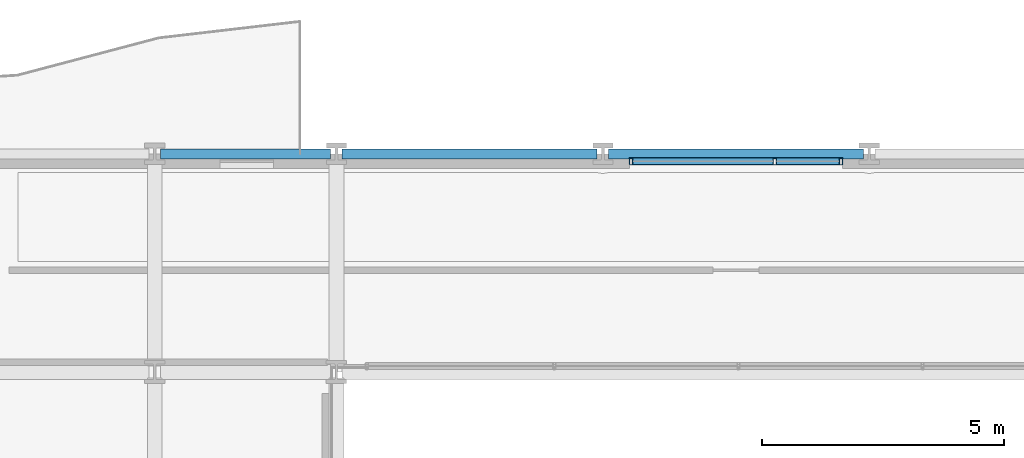
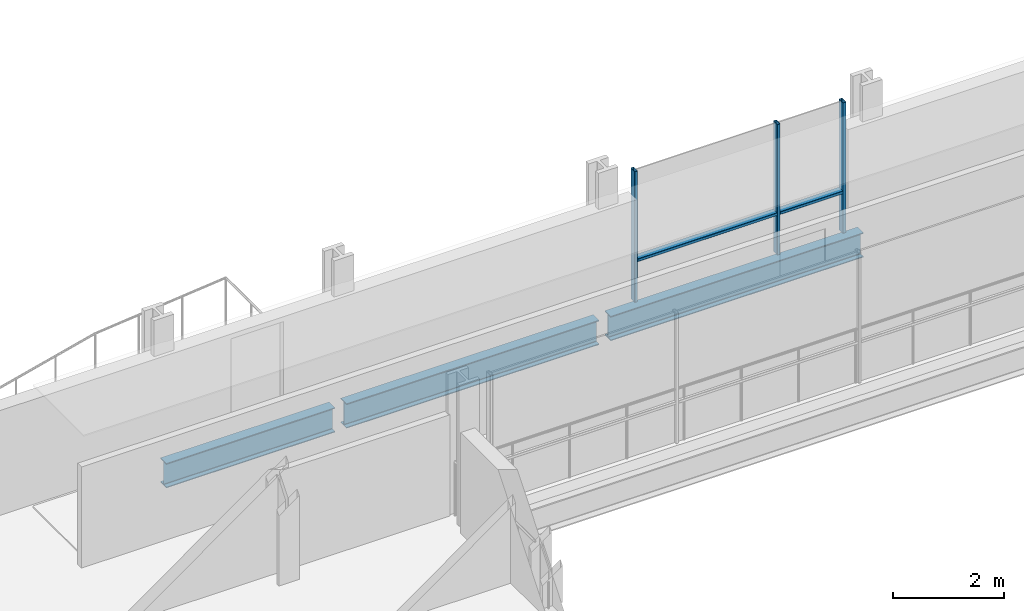
# One storey, part 22 of 41: 5 members, 3 beams, 1 element without a shape of its own.
"""IFC4 building model written with IfcOpenShell, lengths in metres."""

from ifc_helpers import new_model, si_unit, direction, frame, origin, origin_2d, place, context, subcontext, project, spatial, hollow_rectangle, i_section, extrude, material, layer, layer_set, material_profile, profile_set, type_object, element, aggregate, save


model = new_model("IFC4")

# Units and contexts
model_context = context("Model", 3, precision=1e-05, world=origin(), true_north=direction((0.0, 1.0)))
body_context = subcontext(model_context, "Body", "Model", "MODEL_VIEW")
ifc_project = project(units=[si_unit("LENGTHUNIT", "METRE"), si_unit("AREAUNIT", "SQUARE_METRE"), si_unit("VOLUMEUNIT", "CUBIC_METRE"), si_unit("PLANEANGLEUNIT", "RADIAN"), si_unit("MASSUNIT", "GRAM", prefix="KILO")], contexts=[model_context])

# Site, building, storey
site_placement = place(None, origin())
site = spatial("IfcSite", under=ifc_project, at=site_placement, CompositionType="ELEMENT")
building_placement = place(site_placement, origin())
building = spatial("IfcBuilding", under=site, at=building_placement, Name="Brevholm Reach", CompositionType="ELEMENT")
storey_placement = place(building_placement, frame((0.0, 0.0, 49.699951171875)))
storey = spatial("IfcBuildingStorey", under=building, at=storey_placement, Name="L13", CompositionType="ELEMENT", Elevation=49.699951171875)

# Beams
ifc_material_1 = material(Name="Structural Steel S355J2", Category="steel")
ifc_material_profile_1 = material_profile(ifc_material_1, i_section(OverallWidth=0.210693359375, OverallDepth=0.53955078125, WebThickness=0.01171875, FlangeThickness=0.018798828125, FilletRadius=0.0126953125, at=origin_2d()), Name="UKB 533x210x109")
ifc_profile_set_1 = profile_set([ifc_material_profile_1], Name="Structural Steel S355J2")
beam_type = type_object("IfcBeamType", Name="BM-SP539", PredefinedType="SPANDREL", material=ifc_profile_set_1)
beam_placement = place(storey_placement, frame((18.1201171875, 31.0, -0.499755859375), z_axis=(1.0, 0.0, 0.0), x_axis=(0.0, 1.0, 0.0)))
element("IfcBeam", 1, at=beam_placement, inside=storey, type_object=beam_type, Name="L13 SP-01B Framing Beam", PredefinedType="SPANDREL", context=body_context, shape_type="SweptSolid", body=[
    extrude(i_section(OverallWidth=0.210693359375, OverallDepth=0.53955078125, WebThickness=0.01171875, FlangeThickness=0.018798828125, FilletRadius=0.0126953125, at=origin_2d()), origin(), (0.0, 0.0, 1.0), 3.509765625),
])
for number, where, z_axis, x_axis, name in (
    (2, (21.8701171875, 31.0, -0.499755859375), (1.0, 0.0, 0.0), (0.0, 1.0, 0.0), "L13 SP-01B Framing Beam"),
    (3, (27.3701171875, 31.0, -0.499755859375), (1.0, 0.0, 0.0), (0.0, 1.0, 0.0), "L13 SP-01B Framing Beam"),
):
    element("IfcBeam", number, at=place(storey_placement, frame(where, z_axis=z_axis, x_axis=x_axis)), inside=storey, type_object=beam_type, Name=name, PredefinedType="SPANDREL", context=body_context, shape_type="SweptSolid", body=[
        extrude(i_section(OverallWidth=0.210693359375, OverallDepth=0.53955078125, WebThickness=0.01171875, FlangeThickness=0.018798828125, FilletRadius=0.0126953125, at=origin_2d()), origin(), (0.0, 0.0, 1.0), 5.259765625),
    ])

# Curtain wall, members
ifc_material_2 = material(Name="Dark Anodised Aluminium 6063-T6 and Solar-Control Glass", Category="aluminium")
ifc_layer = layer(ifc_material_2, 0.14990234375)
ifc_layer_set = layer_set([ifc_layer], Name="Dark Anodised Aluminium 6063-T6 and Solar-Control Glass")
curtain_wall_type = type_object("IfcCurtainWallType", Name="CW-01", PredefinedType="NOTDEFINED", material=ifc_layer_set)
curtain_wall_placement = place(storey_placement, origin())
curtain_wall = element("IfcCurtainWall", 4, at=curtain_wall_placement, inside=storey, type_object=curtain_wall_type, Name="L13 Curtain Wall CW-01", PredefinedType="NOTDEFINED")
ifc_material_3 = material(Name="Dark Anodised Aluminium 6063-T6", Category="aluminium")
ifc_material_profile_2 = material_profile(ifc_material_3, hollow_rectangle(XDim=0.06494140625, YDim=0.14990234375, WallThickness=0.0048828125, InnerFilletRadius=0.0048828125, OuterFilletRadius=0.010009765625, at=origin_2d()), Name="RHS 150x65x5")
ifc_profile_set_2 = profile_set([ifc_material_profile_2], Name="Dark Anodised Aluminium 6063-T6")
member_type_1 = type_object("IfcMemberType", Name="CWM-150", PredefinedType="MULLION", material=ifc_profile_set_2)
member_1_placement = place(storey_placement, frame((27.83251953125, 30.85009765625, 0.0), z_axis=(0.0, 0.0, 1.0), x_axis=(1.0, 0.0, 0.0)))
member_1 = element("IfcMember", 5, at=member_1_placement, type_object=member_type_1, Name="CM-150 Mullion 1", PredefinedType="MULLION", context=body_context, shape_type="SweptSolid", body=[
    extrude(hollow_rectangle(XDim=0.06494140625, YDim=0.14990234375, WallThickness=0.0048828125, InnerFilletRadius=0.0048828125, OuterFilletRadius=0.010009765625, at=origin_2d()), origin(), (0.0, 0.0, 1.0), 2.8701171875),
])
member_2_placement = place(storey_placement, frame((30.800048828125, 30.85009765625, 0.0), z_axis=(0.0, 0.0, 1.0), x_axis=(1.0, 0.0, 0.0)))
member_2 = element("IfcMember", 6, at=member_2_placement, type_object=member_type_1, Name="CM-150 Mullion 2", PredefinedType="MULLION", context=body_context, shape_type="SweptSolid", body=[
    extrude(hollow_rectangle(XDim=0.06494140625, YDim=0.14990234375, WallThickness=0.0048828125, InnerFilletRadius=0.0048828125, OuterFilletRadius=0.010009765625, at=origin_2d()), origin(), (0.0, 0.0, 1.0), 2.8701171875),
])
member_3_placement = place(storey_placement, frame((32.16748046875, 30.85009765625, 0.0), z_axis=(0.0, 0.0, 1.0), x_axis=(1.0, 0.0, 0.0)))
member_3 = element("IfcMember", 7, at=member_3_placement, type_object=member_type_1, Name="CM-150 Mullion 3", PredefinedType="MULLION", context=body_context, shape_type="SweptSolid", body=[
    extrude(hollow_rectangle(XDim=0.06494140625, YDim=0.14990234375, WallThickness=0.0048828125, InnerFilletRadius=0.0048828125, OuterFilletRadius=0.010009765625, at=origin_2d()), origin(), (0.0, 0.0, 1.0), 2.8701171875),
])
ifc_material_4 = material(Name="Dark Anodised Aluminium 6063-T6", Category="aluminium")
ifc_material_profile_3 = material_profile(ifc_material_4, hollow_rectangle(XDim=0.06494140625, YDim=0.14990234375, WallThickness=0.0048828125, InnerFilletRadius=0.0048828125, OuterFilletRadius=0.010009765625, at=origin_2d()), Name="RHS 150x65x5")
ifc_profile_set_3 = profile_set([ifc_material_profile_3], Name="Dark Anodised Aluminium 6063-T6")
member_type_2 = type_object("IfcMemberType", Name="CWT-150", PredefinedType="NOTDEFINED", material=ifc_profile_set_3)
member_4_placement = place(storey_placement, frame((27.864990234375, 30.85009765625, 0.900146484375), z_axis=(1.0, 0.0, 0.0), x_axis=(0.0, 0.0, 1.0)))
member_4 = element("IfcMember", 8, at=member_4_placement, type_object=member_type_2, Name="CT-150 Transom 1.1", ObjectType="TRANSOM", PredefinedType="USERDEFINED", context=body_context, shape_type="SweptSolid", body=[
    extrude(hollow_rectangle(XDim=0.06494140625, YDim=0.14990234375, WallThickness=0.0048828125, InnerFilletRadius=0.0048828125, OuterFilletRadius=0.010009765625, at=origin_2d()), origin(), (0.0, 0.0, 1.0), 2.902587890625),
])
member_5_placement = place(storey_placement, frame((30.83251953125, 30.85009765625, 0.900146484375), z_axis=(1.0, 0.0, 0.0), x_axis=(0.0, 0.0, 1.0)))
member_5 = element("IfcMember", 9, at=member_5_placement, type_object=member_type_2, Name="CT-150 Transom 2.1", ObjectType="TRANSOM", PredefinedType="USERDEFINED", context=body_context, shape_type="SweptSolid", body=[
    extrude(hollow_rectangle(XDim=0.06494140625, YDim=0.14990234375, WallThickness=0.0048828125, InnerFilletRadius=0.0048828125, OuterFilletRadius=0.010009765625, at=origin_2d()), origin(), (0.0, 0.0, 1.0), 1.302490234375),
])
aggregate(curtain_wall, [member_1, member_2, member_3, member_4, member_5])

save(model, "model.ifc")
